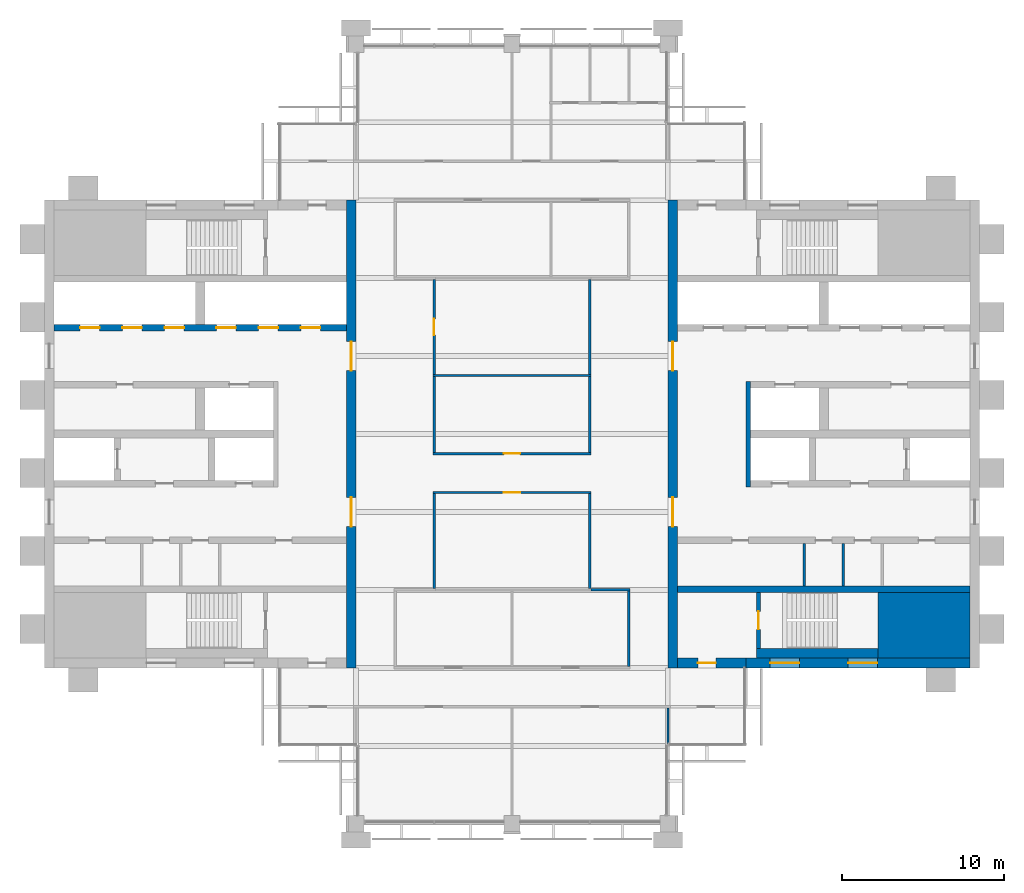
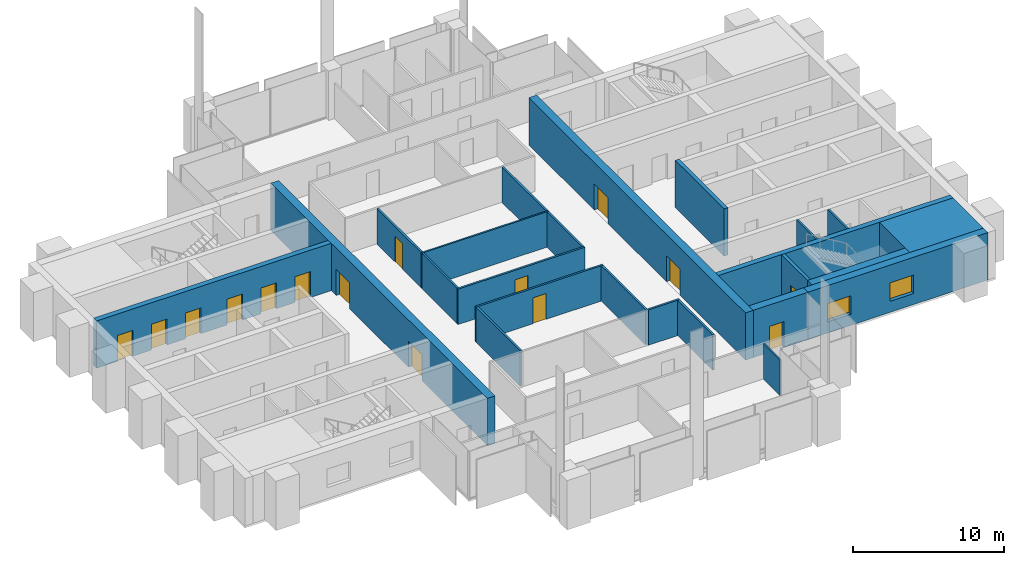
# One storey, part 9 of 13: 24 walls, 15 doors, 2 windows, 17 openings.
"""IFC4 building model written with IfcOpenShell, lengths in metres."""

from ifc_helpers import new_model, si_unit, direction, frame, frame_2d, origin, place, context, subcontext, project, spatial, rectangle, extrude, material, layer, layer_set, type_object, element, fill, save


model = new_model("IFC4")

# Units and contexts
model_context = context("Model", 3, precision=1e-05, world=origin(), true_north=direction((0.0, 1.0)))
body_context = subcontext(model_context, "Body", "Model", "MODEL_VIEW")
ifc_project = project(units=[si_unit("LENGTHUNIT", "METRE"), si_unit("AREAUNIT", "SQUARE_METRE"), si_unit("VOLUMEUNIT", "CUBIC_METRE"), si_unit("PLANEANGLEUNIT", "RADIAN"), si_unit("MASSUNIT", "GRAM", prefix="KILO")], contexts=[model_context])

# Site, building, storey
site_placement = place(None, origin())
site = spatial("IfcSite", under=ifc_project, at=site_placement, CompositionType="ELEMENT")
building_placement = place(site_placement, origin())
building = spatial("IfcBuilding", under=site, at=building_placement, Name="Baori Bourse Tower", CompositionType="ELEMENT")
storey_placement = place(building_placement, frame((0.0, 0.0, 318.300048828125)))
storey = spatial("IfcBuildingStorey", under=building, at=storey_placement, Name="L70", CompositionType="ELEMENT", Elevation=318.300048828125)

# Walls
ifc_material_1 = material(Name="Concrete f'c 40 MPa", Category="concrete")
wall_type_1 = type_object("IfcWallType", Name="Core corner block f'c 40", PredefinedType="SHEAR", material=ifc_material_1)
wall_1_placement = place(storey_placement, frame((51.35009765625, 12.22509765625, 0.0), z_axis=(0.0, 0.0, 1.0), x_axis=(1.0, 0.0, 0.0)))
element("IfcWall", 1, at=wall_1_placement, inside=storey, type_object=wall_type_1, Name="Core wall E05", PredefinedType="SHEAR", context=body_context, shape_type="SweptSolid", body=[
    extrude(rectangle(XDim=5.64990234375, YDim=4.050048828125, at=frame_2d((2.824951171875, 0.0))), origin(), (0.0, 0.0, 1.0), 3.83984375),
])
ifc_material_2 = material(Name="Blockwork partition", Category="masonry")
ifc_layer_1 = layer(ifc_material_2, 0.14990234375)
ifc_layer_set_1 = layer_set([ifc_layer_1], Name="Core partition 150")
wall_type_2 = type_object("IfcWallType", Name="Core partition 150", PredefinedType="PARTITIONING", material=ifc_layer_set_1)
for number, where, z_axis, x_axis, name in (
    (2, (49.199951171875, 14.64990234375, 0.0), (0.0, 0.0, 1.0), (0.0, 1.0, 0.0), "Partition wall E10"),
    (3, (46.800048828125, 14.64990234375, 0.0), (0.0, 0.0, 1.0), (0.0, 1.0, 0.0), "Partition wall E11"),
):
    element("IfcWall", number, at=place(storey_placement, frame(where, z_axis=z_axis, x_axis=x_axis)), inside=storey, type_object=wall_type_2, Name=name, PredefinedType="PARTITIONING", context=body_context, shape_type="SweptSolid", body=[
        extrude(rectangle(XDim=2.60009765625, YDim=0.14990234375, at=frame_2d((1.300048828125, 0.0))), origin(), (0.0, 0.0, 1.0), 3.83984375),
    ])

# Wall, openings, doors
ifc_material_3 = material(Name="Concrete f'c 40 MPa", Category="concrete")
ifc_layer_2 = layer(ifc_material_3, 0.60009765625)
ifc_layer_set_2 = layer_set([ifc_layer_2], Name="Core wall 600 f'c 40")
wall_type_3 = type_object("IfcWallType", Name="Core wall 600 f'c 40", PredefinedType="SHEAR", material=ifc_layer_set_2)
wall_2_placement = place(storey_placement, frame((18.89990234375, 38.39990234375, 0.0), z_axis=(0.0, 0.0, 1.0), x_axis=(0.0, -1.0, 0.0)))
wall_2 = element("IfcWall", 4, at=wall_2_placement, inside=storey, type_object=wall_type_3, Name="Core wall W04", PredefinedType="SHEAR", context=body_context, shape_type="SweptSolid", body=[
    extrude(rectangle(XDim=28.7998046875, YDim=0.60009765625, at=frame_2d((14.39990234375, 0.0))), origin(), (0.0, 0.0, 1.0), 3.83984375),
])
opening_1_placement = place(wall_2_placement, frame((18.300048828125, 0.0, 0.0)))
opening_1 = element("IfcOpeningElement", 5, at=opening_1_placement, cuts=wall_2, Name="Opening L70-D107", PredefinedType="OPENING", context=body_context, shape_type="SweptSolid", body=[
    extrude(rectangle(XDim=1.800048828125, YDim=2.10009765625, at=frame_2d((0.89990234375, 1.050048828125))), frame((0.0, 0.31005859375, 0.0), z_axis=(0.0, -1.0, 0.0), x_axis=(1.0, 0.0, 0.0)), (0.0, 0.0, 1.0), 0.6201171875),
])
opening_2_placement = place(wall_2_placement, frame((8.699951171875, 0.0, 0.0)))
opening_2 = element("IfcOpeningElement", 6, at=opening_2_placement, cuts=wall_2, Name="Opening L70-D108", PredefinedType="OPENING", context=body_context, shape_type="SweptSolid", body=[
    extrude(rectangle(XDim=1.800048828125, YDim=2.10009765625, at=frame_2d((0.89990234375, 1.050048828125))), frame((0.0, 0.31005859375, 0.0), z_axis=(0.0, -1.0, 0.0), x_axis=(1.0, 0.0, 0.0)), (0.0, 0.0, 1.0), 0.6201171875),
])
ifc_material_4 = material(Name="Painted steel door", Category="steel")
door_type_1 = type_object("IfcDoorType", Name="Core lobby door 1800", OperationType="DOUBLE_DOOR_SINGLE_SWING", PredefinedType="DOOR", material=ifc_material_4)
door_1_placement = place(opening_1_placement, origin())
door_1 = element("IfcDoor", 7, at=door_1_placement, inside=storey, type_object=door_type_1, Name="Lobby door W L70", OperationType="DOUBLE_DOOR_SINGLE_SWING", OverallHeight=2.10009765625, OverallWidth=1.800048828125, PredefinedType="DOOR", context=body_context, shape_type="SweptSolid", body=[
    extrude(rectangle(XDim=1.800048828125, YDim=2.10009765625, at=frame_2d((0.89990234375, 1.050048828125))), frame((0.0, 0.02490234375, 0.0), z_axis=(0.0, -1.0, 0.0), x_axis=(1.0, 0.0, 0.0)), (0.0, 0.0, 1.0), 0.050048828125),
])
fill(opening_1, door_1)
door_2_placement = place(opening_2_placement, origin())
door_2 = element("IfcDoor", 8, at=door_2_placement, inside=storey, type_object=door_type_1, Name="Lobby door W L70", OperationType="DOUBLE_DOOR_SINGLE_SWING", OverallHeight=2.10009765625, OverallWidth=1.800048828125, PredefinedType="DOOR", context=body_context, shape_type="SweptSolid", body=[
    extrude(rectangle(XDim=1.800048828125, YDim=2.10009765625, at=frame_2d((0.89990234375, 1.050048828125))), frame((0.0, 0.02490234375, 0.0), z_axis=(0.0, -1.0, 0.0), x_axis=(1.0, 0.0, 0.0)), (0.0, 0.0, 1.0), 0.050048828125),
])
fill(opening_2, door_2)

# Wall, openings, windows
wall_3_placement = place(storey_placement, frame((57.0, 9.89990234375, 0.0), z_axis=(0.0, 0.0, 1.0), x_axis=(-1.0, 0.0, 0.0)))
wall_3 = element("IfcWall", 9, at=wall_3_placement, inside=storey, type_object=wall_type_3, Name="Core wall E02", PredefinedType="SHEAR", context=body_context, shape_type="SweptSolid", body=[
    extrude(rectangle(XDim=13.800048828125, YDim=0.60009765625, at=frame_2d((6.89990234375, 0.0))), origin(), (0.0, 0.0, 1.0), 3.83984375),
])
opening_3_placement = place(wall_3_placement, frame((5.699951171875, 0.0, 0.89990234375)))
opening_3 = element("IfcOpeningElement", 10, at=opening_3_placement, cuts=wall_3, Name="Opening L70-KW203", PredefinedType="OPENING", context=body_context, shape_type="SweptSolid", body=[
    extrude(rectangle(XDim=1.800048828125, YDim=1.5, at=frame_2d((0.89990234375, 0.75))), frame((0.0, 0.31005859375, 0.0), z_axis=(0.0, -1.0, 0.0), x_axis=(1.0, 0.0, 0.0)), (0.0, 0.0, 1.0), 0.6201171875),
])
opening_4_placement = place(wall_3_placement, frame((10.5, 0.0, 0.89990234375)))
opening_4 = element("IfcOpeningElement", 11, at=opening_4_placement, cuts=wall_3, Name="Opening L70-KW204", PredefinedType="OPENING", context=body_context, shape_type="SweptSolid", body=[
    extrude(rectangle(XDim=1.800048828125, YDim=1.5, at=frame_2d((0.89990234375, 0.75))), frame((0.0, 0.31005859375, 0.0), z_axis=(0.0, -1.0, 0.0), x_axis=(1.0, 0.0, 0.0)), (0.0, 0.0, 1.0), 0.6201171875),
])
ifc_material_5 = material(Name="Pale anodised aluminium", Category="aluminium")
window_type = type_object("IfcWindowType", Name="Stair window 1800 x 1500", PartitioningType="SINGLE_PANEL", PredefinedType="WINDOW", material=ifc_material_5)
window_1_placement = place(opening_3_placement, origin())
window_1 = element("IfcWindow", 12, at=window_1_placement, inside=storey, type_object=window_type, Name="Stair window E L70 3", OverallHeight=1.5, OverallWidth=1.800048828125, PartitioningType="SINGLE_PANEL", PredefinedType="WINDOW", context=body_context, shape_type="SweptSolid", body=[
    extrude(rectangle(XDim=1.800048828125, YDim=1.5, at=frame_2d((0.89990234375, 0.75))), frame((0.0, 0.030029296875, 0.0), z_axis=(0.0, -1.0, 0.0), x_axis=(1.0, 0.0, 0.0)), (0.0, 0.0, 1.0), 0.06005859375),
])
fill(opening_3, window_1)
window_2_placement = place(opening_4_placement, origin())
window_2 = element("IfcWindow", 13, at=window_2_placement, inside=storey, type_object=window_type, Name="Stair window E L70 4", OverallHeight=1.5, OverallWidth=1.800048828125, PartitioningType="SINGLE_PANEL", PredefinedType="WINDOW", context=body_context, shape_type="SweptSolid", body=[
    extrude(rectangle(XDim=1.800048828125, YDim=1.5, at=frame_2d((0.89990234375, 0.75))), frame((0.0, 0.030029296875, 0.0), z_axis=(0.0, -1.0, 0.0), x_axis=(1.0, 0.0, 0.0)), (0.0, 0.0, 1.0), 0.06005859375),
])
fill(opening_4, window_2)

# Wall, opening, door
wall_4_placement = place(storey_placement, frame((43.199951171875, 9.89990234375, 0.0), z_axis=(0.0, 0.0, 1.0), x_axis=(-1.0, 0.0, 0.0)))
wall_4 = element("IfcWall", 14, at=wall_4_placement, inside=storey, type_object=wall_type_3, Name="Core wall E03", PredefinedType="SHEAR", context=body_context, shape_type="SweptSolid", body=[
    extrude(rectangle(XDim=4.199951171875, YDim=0.60009765625, at=frame_2d((2.10009765625, 0.0))), origin(), (0.0, 0.0, 1.0), 3.83984375),
])
opening_5_placement = place(wall_4_placement, frame((1.85009765625, 0.0, 0.0)))
opening_5 = element("IfcOpeningElement", 15, at=opening_5_placement, cuts=wall_4, Name="Opening L70-D202", PredefinedType="OPENING", context=body_context, shape_type="SweptSolid", body=[
    extrude(rectangle(XDim=1.10009765625, YDim=2.10009765625, at=frame_2d((0.550048828125, 1.050048828125))), frame((0.0, 0.31005859375, 0.0), z_axis=(0.0, -1.0, 0.0), x_axis=(1.0, 0.0, 0.0)), (0.0, 0.0, 1.0), 0.6201171875),
])
ifc_material_6 = material(Name="Painted steel door", Category="steel")
door_type_2 = type_object("IfcDoorType", Name="Stair door 1100", OperationType="SINGLE_SWING_LEFT", PredefinedType="DOOR", material=ifc_material_6)
door_3_placement = place(opening_5_placement, origin())
door_3 = element("IfcDoor", 16, at=door_3_placement, inside=storey, type_object=door_type_2, Name="Stair vestibule door A E L70", OperationType="SINGLE_SWING_LEFT", OverallHeight=2.10009765625, OverallWidth=1.10009765625, PredefinedType="DOOR", context=body_context, shape_type="SweptSolid", body=[
    extrude(rectangle(XDim=1.10009765625, YDim=2.10009765625, at=frame_2d((0.550048828125, 1.050048828125))), frame((0.0, 0.02490234375, 0.0), z_axis=(0.0, -1.0, 0.0), x_axis=(1.0, 0.0, 0.0)), (0.0, 0.0, 1.0), 0.050048828125),
])
fill(opening_5, door_3)

# Wall, openings, doors
wall_5_placement = place(storey_placement, frame((38.699951171875, 9.60009765625, 0.0), z_axis=(0.0, 0.0, 1.0), x_axis=(0.0, 1.0, 0.0)))
wall_5 = element("IfcWall", 17, at=wall_5_placement, inside=storey, type_object=wall_type_3, Name="Core wall E04", PredefinedType="SHEAR", context=body_context, shape_type="SweptSolid", body=[
    extrude(rectangle(XDim=28.7998046875, YDim=0.60009765625, at=frame_2d((14.39990234375, 0.0))), origin(), (0.0, 0.0, 1.0), 3.83984375),
])
opening_6_placement = place(wall_5_placement, frame((8.699951171875, 0.0, 0.0)))
opening_6 = element("IfcOpeningElement", 18, at=opening_6_placement, cuts=wall_5, Name="Opening L70-D207", PredefinedType="OPENING", context=body_context, shape_type="SweptSolid", body=[
    extrude(rectangle(XDim=1.800048828125, YDim=2.10009765625, at=frame_2d((0.89990234375, 1.050048828125))), frame((0.0, 0.31005859375, 0.0), z_axis=(0.0, -1.0, 0.0), x_axis=(1.0, 0.0, 0.0)), (0.0, 0.0, 1.0), 0.6201171875),
])
opening_7_placement = place(wall_5_placement, frame((18.300048828125, 0.0, 0.0)))
opening_7 = element("IfcOpeningElement", 19, at=opening_7_placement, cuts=wall_5, Name="Opening L70-D208", PredefinedType="OPENING", context=body_context, shape_type="SweptSolid", body=[
    extrude(rectangle(XDim=1.800048828125, YDim=2.10009765625, at=frame_2d((0.89990234375, 1.050048828125))), frame((0.0, 0.31005859375, 0.0), z_axis=(0.0, -1.0, 0.0), x_axis=(1.0, 0.0, 0.0)), (0.0, 0.0, 1.0), 0.6201171875),
])
door_4_placement = place(opening_6_placement, origin())
door_4 = element("IfcDoor", 20, at=door_4_placement, inside=storey, type_object=door_type_1, Name="Lobby door E L70", OperationType="DOUBLE_DOOR_SINGLE_SWING", OverallHeight=2.10009765625, OverallWidth=1.800048828125, PredefinedType="DOOR", context=body_context, shape_type="SweptSolid", body=[
    extrude(rectangle(XDim=1.800048828125, YDim=2.10009765625, at=frame_2d((0.89990234375, 1.050048828125))), frame((0.0, 0.02490234375, 0.0), z_axis=(0.0, -1.0, 0.0), x_axis=(1.0, 0.0, 0.0)), (0.0, 0.0, 1.0), 0.050048828125),
])
fill(opening_6, door_4)
door_5_placement = place(opening_7_placement, origin())
door_5 = element("IfcDoor", 21, at=door_5_placement, inside=storey, type_object=door_type_1, Name="Lobby door E L70", OperationType="DOUBLE_DOOR_SINGLE_SWING", OverallHeight=2.10009765625, OverallWidth=1.800048828125, PredefinedType="DOOR", context=body_context, shape_type="SweptSolid", body=[
    extrude(rectangle(XDim=1.800048828125, YDim=2.10009765625, at=frame_2d((0.89990234375, 1.050048828125))), frame((0.0, 0.02490234375, 0.0), z_axis=(0.0, -1.0, 0.0), x_axis=(1.0, 0.0, 0.0)), (0.0, 0.0, 1.0), 0.050048828125),
])
fill(opening_7, door_5)

# Wall
ifc_material_7 = material(Name="Gypsum board partition")
ifc_layer_3 = layer(ifc_material_7, 0.14990234375)
ifc_layer_set_3 = layer_set([ifc_layer_3], Name="Corridor partition 150")
wall_type_4 = type_object("IfcWallType", Name="Corridor partition 150", PredefinedType="PARTITIONING", material=ifc_layer_set_3)
wall_6_placement = place(storey_placement, frame((33.675048828125, 14.39990234375, 0.0), z_axis=(0.0, 0.0, 1.0), x_axis=(1.0, 0.0, 0.0)))
element("IfcWall", 22, at=wall_6_placement, inside=storey, type_object=wall_type_4, Name="Partition", PredefinedType="PARTITIONING", context=body_context, shape_type="SweptSolid", body=[
    extrude(rectangle(XDim=2.39990234375, YDim=0.14990234375, at=frame_2d((1.199951171875, 0.0))), origin(), (0.0, 0.0, 1.0), 2.86962890625),
])

# Wall, opening, door
wall_7_placement = place(storey_placement, frame((23.925048828125, 20.39990234375, 0.0), z_axis=(0.0, 0.0, 1.0), x_axis=(1.0, 0.0, 0.0)))
wall_7 = element("IfcWall", 23, at=wall_7_placement, inside=storey, type_object=wall_type_4, Name="Partition", PredefinedType="PARTITIONING", context=body_context, shape_type="SweptSolid", body=[
    extrude(rectangle(XDim=9.75, YDim=0.14990234375, at=frame_2d((4.875, 0.0))), origin(), (0.0, 0.0, 1.0), 2.86962890625),
])
opening_8_placement = place(wall_7_placement, frame((4.375, 0.0, 0.0)))
opening_8 = element("IfcOpeningElement", 24, at=opening_8_placement, cuts=wall_7, Name="Opening L70-D07", PredefinedType="OPENING", context=body_context, shape_type="SweptSolid", body=[
    extrude(rectangle(XDim=1.0, YDim=2.10009765625, at=frame_2d((0.5, 1.050048828125))), frame((0.0, 0.0849609375, 0.0), z_axis=(0.0, -1.0, 0.0), x_axis=(1.0, 0.0, 0.0)), (0.0, 0.0, 1.0), 0.169921875),
])
ifc_material_8 = material(Name="Timber door leaf", Category="wood")
door_type_3 = type_object("IfcDoorType", Name="Door 1000 x 2100", OperationType="SINGLE_SWING_LEFT", PredefinedType="DOOR", material=ifc_material_8)
door_6_placement = place(opening_8_placement, origin())
door_6 = element("IfcDoor", 25, at=door_6_placement, inside=storey, type_object=door_type_3, Name="Door", OperationType="SINGLE_SWING_RIGHT", OverallHeight=2.10009765625, OverallWidth=1.0, PredefinedType="DOOR", context=body_context, shape_type="SweptSolid", body=[
    extrude(rectangle(XDim=1.0, YDim=2.10009765625, at=frame_2d((0.5, 1.050048828125))), frame((0.0, 0.02490234375, 0.0), z_axis=(0.0, -1.0, 0.0), x_axis=(1.0, 0.0, 0.0)), (0.0, 0.0, 1.0), 0.050048828125),
])
fill(opening_8, door_6)

wall_8_placement = place(storey_placement, frame((23.925048828125, 22.800048828125, 0.0), z_axis=(0.0, 0.0, 1.0), x_axis=(1.0, 0.0, 0.0)))
wall_8 = element("IfcWall", 26, at=wall_8_placement, inside=storey, type_object=wall_type_4, Name="Partition", PredefinedType="PARTITIONING", context=body_context, shape_type="SweptSolid", body=[
    extrude(rectangle(XDim=9.75, YDim=0.14990234375, at=frame_2d((4.875, 0.0))), origin(), (0.0, 0.0, 1.0), 2.86962890625),
])
opening_9_placement = place(wall_8_placement, frame((4.375, 0.0, 0.0)))
opening_9 = element("IfcOpeningElement", 27, at=opening_9_placement, cuts=wall_8, Name="Opening L70-D08", PredefinedType="OPENING", context=body_context, shape_type="SweptSolid", body=[
    extrude(rectangle(XDim=1.0, YDim=2.10009765625, at=frame_2d((0.5, 1.050048828125))), frame((0.0, 0.0849609375, 0.0), z_axis=(0.0, -1.0, 0.0), x_axis=(1.0, 0.0, 0.0)), (0.0, 0.0, 1.0), 0.169921875),
])
door_7_placement = place(opening_9_placement, origin())
door_7 = element("IfcDoor", 28, at=door_7_placement, inside=storey, type_object=door_type_3, Name="Door", OperationType="SINGLE_SWING_LEFT", OverallHeight=2.10009765625, OverallWidth=1.0, PredefinedType="DOOR", context=body_context, shape_type="SweptSolid", body=[
    extrude(rectangle(XDim=1.0, YDim=2.10009765625, at=frame_2d((0.5, 1.050048828125))), frame((0.0, 0.02490234375, 0.0), z_axis=(0.0, -1.0, 0.0), x_axis=(1.0, 0.0, 0.0)), (0.0, 0.0, 1.0), 0.050048828125),
])
fill(opening_9, door_7)

# Walls
wall_9_placement = place(storey_placement, frame((24.0, 14.47509765625, 0.0), z_axis=(0.0, 0.0, 1.0), x_axis=(0.0, 1.0, 0.0)))
element("IfcWall", 29, at=wall_9_placement, inside=storey, type_object=wall_type_4, Name="Partition", PredefinedType="PARTITIONING", context=body_context, shape_type="SweptSolid", body=[
    extrude(rectangle(XDim=5.849853515625, YDim=0.14990234375, at=frame_2d((2.9248046875, 0.0))), origin(), (0.0, 0.0, 1.0), 2.86962890625),
])
wall_10_placement = place(storey_placement, frame((24.0, 22.875, 0.0), z_axis=(0.0, 0.0, 1.0), x_axis=(0.0, 1.0, 0.0)))
element("IfcWall", 30, at=wall_10_placement, inside=storey, type_object=wall_type_4, Name="Partition", PredefinedType="PARTITIONING", context=body_context, shape_type="SweptSolid", body=[
    extrude(rectangle(XDim=4.66259765625, YDim=0.14990234375, at=frame_2d((2.331298828125, 0.0))), origin(), (0.0, 0.0, 1.0), 2.86962890625),
])

# Wall, opening, door
wall_11_placement = place(storey_placement, frame((24.0, 27.66259765625, 0.0), z_axis=(0.0, 0.0, 1.0), x_axis=(0.0, 1.0, 0.0)))
wall_11 = element("IfcWall", 31, at=wall_11_placement, inside=storey, type_object=wall_type_4, Name="Partition", PredefinedType="PARTITIONING", context=body_context, shape_type="SweptSolid", body=[
    extrude(rectangle(XDim=5.8623046875, YDim=0.14990234375, at=frame_2d((2.93115234375, 0.0))), origin(), (0.0, 0.0, 1.0), 2.86962890625),
])
opening_10_placement = place(wall_11_placement, frame((2.43115234375, 0.0, 0.0)))
opening_10 = element("IfcOpeningElement", 32, at=opening_10_placement, cuts=wall_11, Name="Opening L70-D19", PredefinedType="OPENING", context=body_context, shape_type="SweptSolid", body=[
    extrude(rectangle(XDim=1.0, YDim=2.10009765625, at=frame_2d((0.5, 1.050048828125))), frame((0.0, 0.0849609375, 0.0), z_axis=(0.0, -1.0, 0.0), x_axis=(1.0, 0.0, 0.0)), (0.0, 0.0, 1.0), 0.169921875),
])
door_8_placement = place(opening_10_placement, origin())
door_8 = element("IfcDoor", 33, at=door_8_placement, inside=storey, type_object=door_type_3, Name="Door", OperationType="SINGLE_SWING_LEFT", OverallHeight=2.10009765625, OverallWidth=1.0, PredefinedType="DOOR", context=body_context, shape_type="SweptSolid", body=[
    extrude(rectangle(XDim=1.0, YDim=2.10009765625, at=frame_2d((0.5, 1.050048828125))), frame((0.0, 0.02490234375, 0.0), z_axis=(0.0, -1.0, 0.0), x_axis=(1.0, 0.0, 0.0)), (0.0, 0.0, 1.0), 0.050048828125),
])
fill(opening_10, door_8)

# Walls
wall_12_placement = place(storey_placement, frame((33.60009765625, 14.47509765625, 0.0), z_axis=(0.0, 0.0, 1.0), x_axis=(0.0, 1.0, 0.0)))
element("IfcWall", 34, at=wall_12_placement, inside=storey, type_object=wall_type_4, Name="Partition", PredefinedType="PARTITIONING", context=body_context, shape_type="SweptSolid", body=[
    extrude(rectangle(XDim=5.849853515625, YDim=0.14990234375, at=frame_2d((2.9248046875, 0.0))), origin(), (0.0, 0.0, 1.0), 2.86962890625),
])
wall_13_placement = place(storey_placement, frame((33.60009765625, 22.875, 0.0), z_axis=(0.0, 0.0, 1.0), x_axis=(0.0, 1.0, 0.0)))
element("IfcWall", 35, at=wall_13_placement, inside=storey, type_object=wall_type_4, Name="Partition", PredefinedType="PARTITIONING", context=body_context, shape_type="SweptSolid", body=[
    extrude(rectangle(XDim=4.66259765625, YDim=0.14990234375, at=frame_2d((2.331298828125, 0.0))), origin(), (0.0, 0.0, 1.0), 2.86962890625),
])
wall_14_placement = place(storey_placement, frame((33.60009765625, 27.66259765625, 0.0), z_axis=(0.0, 0.0, 1.0), x_axis=(0.0, 1.0, 0.0)))
element("IfcWall", 36, at=wall_14_placement, inside=storey, type_object=wall_type_4, Name="Partition", PredefinedType="PARTITIONING", context=body_context, shape_type="SweptSolid", body=[
    extrude(rectangle(XDim=5.8623046875, YDim=0.14990234375, at=frame_2d((2.93115234375, 0.0))), origin(), (0.0, 0.0, 1.0), 2.86962890625),
])
wall_15_placement = place(storey_placement, frame((36.0, 9.675048828125, 0.0), z_axis=(0.0, 0.0, 1.0), x_axis=(0.0, 1.0, 0.0)))
element("IfcWall", 37, at=wall_15_placement, inside=storey, type_object=wall_type_4, Name="Partition", PredefinedType="PARTITIONING", context=body_context, shape_type="SweptSolid", body=[
    extrude(rectangle(XDim=4.64990234375, YDim=0.14990234375, at=frame_2d((2.324951171875, 0.0))), origin(), (0.0, 0.0, 1.0), 2.86962890625),
])
ifc_material_9 = material(Name="Gypsum board partition")
ifc_layer_4 = layer(ifc_material_9, 0.125)
ifc_layer_set_4 = layer_set([ifc_layer_4], Name="Partition 125")
wall_type_5 = type_object("IfcWallType", Name="Partition 125", PredefinedType="PARTITIONING", material=ifc_layer_set_4)
wall_16_placement = place(storey_placement, frame((23.925048828125, 27.60009765625, 0.0), z_axis=(0.0, 0.0, 1.0), x_axis=(1.0, 0.0, 0.0)))
element("IfcWall", 38, at=wall_16_placement, inside=storey, type_object=wall_type_5, Name="Partition", PredefinedType="PARTITIONING", context=body_context, shape_type="SweptSolid", body=[
    extrude(rectangle(XDim=9.75, YDim=0.125, at=frame_2d((4.875, 0.0))), origin(), (0.0, 0.0, 1.0), 2.86962890625),
])
wall_17_placement = place(storey_placement, frame((38.39990234375, 4.89990234375, 0.0), z_axis=(0.0, 0.0, 1.0), x_axis=(0.0, 1.0, 0.0)))
element("IfcWall", 39, at=wall_17_placement, inside=storey, type_object=wall_type_5, Name="Partition", PredefinedType="PARTITIONING", context=body_context, shape_type="SweptSolid", body=[
    extrude(rectangle(XDim=2.22509765625, YDim=0.125, at=frame_2d((1.112548828125, 0.0))), origin(), (0.0, 0.0, 1.0), 2.86962890625),
])

# Wall, opening, door
ifc_material_10 = material(Name="Concrete f'c 40 MPa", Category="concrete")
ifc_layer_5 = layer(ifc_material_10, 0.25)
ifc_layer_set_5 = layer_set([ifc_layer_5], Name="Shaft wall 250 f'c 40")
wall_type_6 = type_object("IfcWallType", Name="Shaft wall 250 f'c 40", PredefinedType="SHEAR", material=ifc_layer_set_5)
wall_18_placement = place(storey_placement, frame((43.97509765625, 10.800048828125, 0.0), z_axis=(0.0, 0.0, 1.0), x_axis=(0.0, 1.0, 0.0)))
wall_18 = element("IfcWall", 40, at=wall_18_placement, inside=storey, type_object=wall_type_6, Name="Core wall E07", PredefinedType="SHEAR", context=body_context, shape_type="SweptSolid", body=[
    extrude(rectangle(XDim=3.449951171875, YDim=0.25, at=frame_2d((1.72509765625, 0.0))), origin(), (0.0, 0.0, 1.0), 3.83984375),
])
opening_11_placement = place(wall_18_placement, frame((1.175048828125, 0.0, 0.0)))
opening_11 = element("IfcOpeningElement", 41, at=opening_11_placement, cuts=wall_18, Name="Opening L70-D201", PredefinedType="OPENING", context=body_context, shape_type="SweptSolid", body=[
    extrude(rectangle(XDim=1.10009765625, YDim=2.10009765625, at=frame_2d((0.550048828125, 1.050048828125))), frame((0.0, 0.135009765625, 0.0), z_axis=(0.0, -1.0, 0.0), x_axis=(1.0, 0.0, 0.0)), (0.0, 0.0, 1.0), 0.27001953125),
])
door_9_placement = place(opening_11_placement, origin())
door_9 = element("IfcDoor", 42, at=door_9_placement, inside=storey, type_object=door_type_2, Name="Stair door A E L70", OperationType="SINGLE_SWING_LEFT", OverallHeight=2.10009765625, OverallWidth=1.10009765625, PredefinedType="DOOR", context=body_context, shape_type="SweptSolid", body=[
    extrude(rectangle(XDim=1.10009765625, YDim=2.10009765625, at=frame_2d((0.550048828125, 1.050048828125))), frame((0.0, 0.02490234375, 0.0), z_axis=(0.0, -1.0, 0.0), x_axis=(1.0, 0.0, 0.0)), (0.0, 0.0, 1.0), 0.050048828125),
])
fill(opening_11, door_9)

# Wall
ifc_material_11 = material(Name="Concrete f'c 40 MPa", Category="concrete")
ifc_layer_6 = layer(ifc_material_11, 0.300048828125)
ifc_layer_set_6 = layer_set([ifc_layer_6], Name="Shaft wall 300 f'c 40")
wall_type_7 = type_object("IfcWallType", Name="Shaft wall 300 f'c 40", PredefinedType="SHEAR", material=ifc_layer_set_6)
wall_19_placement = place(storey_placement, frame((43.35009765625, 20.75, 0.0), z_axis=(0.0, 0.0, 1.0), x_axis=(0.0, 1.0, 0.0)))
element("IfcWall", 43, at=wall_19_placement, inside=storey, type_object=wall_type_7, Name="Core wall E14", PredefinedType="SHEAR", context=body_context, shape_type="SweptSolid", body=[
    extrude(rectangle(XDim=6.5, YDim=0.300048828125, at=frame_2d((3.25, 0.0))), origin(), (0.0, 0.0, 1.0), 3.83984375),
])

# Wall, openings, doors
ifc_material_12 = material(Name="Concrete f'c 40 MPa", Category="concrete")
ifc_layer_7 = layer(ifc_material_12, 0.39990234375)
ifc_layer_set_7 = layer_set([ifc_layer_7], Name="Shaft wall 400 f'c 40")
wall_type_8 = type_object("IfcWallType", Name="Shaft wall 400 f'c 40", PredefinedType="SHEAR", material=ifc_layer_set_7)
wall_20_placement = place(storey_placement, frame((0.60009765625, 30.550048828125, 0.0), z_axis=(0.0, 0.0, 1.0), x_axis=(1.0, 0.0, 0.0)))
wall_20 = element("IfcWall", 44, at=wall_20_placement, inside=storey, type_object=wall_type_8, Name="Core wall W20", PredefinedType="SHEAR", context=body_context, shape_type="SweptSolid", body=[
    extrude(rectangle(XDim=18.0, YDim=0.39990234375, at=frame_2d((9.0, 0.0))), origin(), (0.0, 0.0, 1.0), 3.83984375),
])
opening_12_placement = place(wall_20_placement, frame((1.60009765625, 0.0, 0.0)))
opening_12 = element("IfcOpeningElement", 45, at=opening_12_placement, cuts=wall_20, Name="Opening L70-D114", PredefinedType="OPENING", context=body_context, shape_type="SweptSolid", body=[
    extrude(rectangle(XDim=1.199951171875, YDim=2.10009765625, at=frame_2d((0.60009765625, 1.050048828125))), frame((0.0, 0.2099609375, 0.0), z_axis=(0.0, -1.0, 0.0), x_axis=(1.0, 0.0, 0.0)), (0.0, 0.0, 1.0), 0.419921875),
])
opening_13_placement = place(wall_20_placement, frame((4.199951171875, 0.0, 0.0)))
opening_13 = element("IfcOpeningElement", 46, at=opening_13_placement, cuts=wall_20, Name="Opening L70-D115", PredefinedType="OPENING", context=body_context, shape_type="SweptSolid", body=[
    extrude(rectangle(XDim=1.199951171875, YDim=2.10009765625, at=frame_2d((0.60009765625, 1.050048828125))), frame((0.0, 0.2099609375, 0.0), z_axis=(0.0, -1.0, 0.0), x_axis=(1.0, 0.0, 0.0)), (0.0, 0.0, 1.0), 0.419921875),
])
opening_14_placement = place(wall_20_placement, frame((6.800048828125, 0.0, 0.0)))
opening_14 = element("IfcOpeningElement", 47, at=opening_14_placement, cuts=wall_20, Name="Opening L70-D116", PredefinedType="OPENING", context=body_context, shape_type="SweptSolid", body=[
    extrude(rectangle(XDim=1.199951171875, YDim=2.10009765625, at=frame_2d((0.60009765625, 1.050048828125))), frame((0.0, 0.2099609375, 0.0), z_axis=(0.0, -1.0, 0.0), x_axis=(1.0, 0.0, 0.0)), (0.0, 0.0, 1.0), 0.419921875),
])
opening_15_placement = place(wall_20_placement, frame((10.0, 0.0, 0.0)))
opening_15 = element("IfcOpeningElement", 48, at=opening_15_placement, cuts=wall_20, Name="Opening L70-D117", PredefinedType="OPENING", context=body_context, shape_type="SweptSolid", body=[
    extrude(rectangle(XDim=1.199951171875, YDim=2.10009765625, at=frame_2d((0.60009765625, 1.050048828125))), frame((0.0, 0.2099609375, 0.0), z_axis=(0.0, -1.0, 0.0), x_axis=(1.0, 0.0, 0.0)), (0.0, 0.0, 1.0), 0.419921875),
])
opening_16_placement = place(wall_20_placement, frame((12.60009765625, 0.0, 0.0)))
opening_16 = element("IfcOpeningElement", 49, at=opening_16_placement, cuts=wall_20, Name="Opening L70-D118", PredefinedType="OPENING", context=body_context, shape_type="SweptSolid", body=[
    extrude(rectangle(XDim=1.199951171875, YDim=2.10009765625, at=frame_2d((0.60009765625, 1.050048828125))), frame((0.0, 0.2099609375, 0.0), z_axis=(0.0, -1.0, 0.0), x_axis=(1.0, 0.0, 0.0)), (0.0, 0.0, 1.0), 0.419921875),
])
opening_17_placement = place(wall_20_placement, frame((15.199951171875, 0.0, 0.0)))
opening_17 = element("IfcOpeningElement", 50, at=opening_17_placement, cuts=wall_20, Name="Opening L70-D119", PredefinedType="OPENING", context=body_context, shape_type="SweptSolid", body=[
    extrude(rectangle(XDim=1.199951171875, YDim=2.10009765625, at=frame_2d((0.60009765625, 1.050048828125))), frame((0.0, 0.2099609375, 0.0), z_axis=(0.0, -1.0, 0.0), x_axis=(1.0, 0.0, 0.0)), (0.0, 0.0, 1.0), 0.419921875),
])
ifc_material_13 = material(Name="Stainless steel door", Category="steel")
door_type_4 = type_object("IfcDoorType", Name="Lift landing door", OperationType="DOUBLE_DOOR_SLIDING", PredefinedType="DOOR", material=ifc_material_13)
door_10_placement = place(opening_12_placement, origin())
door_10 = element("IfcDoor", 51, at=door_10_placement, inside=storey, type_object=door_type_4, Name="Lift landing door HR1 W L70", OperationType="DOUBLE_DOOR_SLIDING", OverallHeight=2.10009765625, OverallWidth=1.199951171875, PredefinedType="DOOR", context=body_context, shape_type="SweptSolid", body=[
    extrude(rectangle(XDim=1.199951171875, YDim=2.10009765625, at=frame_2d((0.60009765625, 1.050048828125))), frame((0.0, 0.02490234375, 0.0), z_axis=(0.0, -1.0, 0.0), x_axis=(1.0, 0.0, 0.0)), (0.0, 0.0, 1.0), 0.050048828125),
])
fill(opening_12, door_10)
door_11_placement = place(opening_13_placement, origin())
door_11 = element("IfcDoor", 52, at=door_11_placement, inside=storey, type_object=door_type_4, Name="Lift landing door HR2 W L70", OperationType="DOUBLE_DOOR_SLIDING", OverallHeight=2.10009765625, OverallWidth=1.199951171875, PredefinedType="DOOR", context=body_context, shape_type="SweptSolid", body=[
    extrude(rectangle(XDim=1.199951171875, YDim=2.10009765625, at=frame_2d((0.60009765625, 1.050048828125))), frame((0.0, 0.02490234375, 0.0), z_axis=(0.0, -1.0, 0.0), x_axis=(1.0, 0.0, 0.0)), (0.0, 0.0, 1.0), 0.050048828125),
])
fill(opening_13, door_11)
door_12_placement = place(opening_14_placement, origin())
door_12 = element("IfcDoor", 53, at=door_12_placement, inside=storey, type_object=door_type_4, Name="Lift landing door HR3 W L70", OperationType="DOUBLE_DOOR_SLIDING", OverallHeight=2.10009765625, OverallWidth=1.199951171875, PredefinedType="DOOR", context=body_context, shape_type="SweptSolid", body=[
    extrude(rectangle(XDim=1.199951171875, YDim=2.10009765625, at=frame_2d((0.60009765625, 1.050048828125))), frame((0.0, 0.02490234375, 0.0), z_axis=(0.0, -1.0, 0.0), x_axis=(1.0, 0.0, 0.0)), (0.0, 0.0, 1.0), 0.050048828125),
])
fill(opening_14, door_12)
door_13_placement = place(opening_15_placement, origin())
door_13 = element("IfcDoor", 54, at=door_13_placement, inside=storey, type_object=door_type_4, Name="Lift landing door HR4 W L70", OperationType="DOUBLE_DOOR_SLIDING", OverallHeight=2.10009765625, OverallWidth=1.199951171875, PredefinedType="DOOR", context=body_context, shape_type="SweptSolid", body=[
    extrude(rectangle(XDim=1.199951171875, YDim=2.10009765625, at=frame_2d((0.60009765625, 1.050048828125))), frame((0.0, 0.02490234375, 0.0), z_axis=(0.0, -1.0, 0.0), x_axis=(1.0, 0.0, 0.0)), (0.0, 0.0, 1.0), 0.050048828125),
])
fill(opening_15, door_13)
door_14_placement = place(opening_16_placement, origin())
door_14 = element("IfcDoor", 55, at=door_14_placement, inside=storey, type_object=door_type_4, Name="Lift landing door HR5 W L70", OperationType="DOUBLE_DOOR_SLIDING", OverallHeight=2.10009765625, OverallWidth=1.199951171875, PredefinedType="DOOR", context=body_context, shape_type="SweptSolid", body=[
    extrude(rectangle(XDim=1.199951171875, YDim=2.10009765625, at=frame_2d((0.60009765625, 1.050048828125))), frame((0.0, 0.02490234375, 0.0), z_axis=(0.0, -1.0, 0.0), x_axis=(1.0, 0.0, 0.0)), (0.0, 0.0, 1.0), 0.050048828125),
])
fill(opening_16, door_14)
door_15_placement = place(opening_17_placement, origin())
door_15 = element("IfcDoor", 56, at=door_15_placement, inside=storey, type_object=door_type_4, Name="Lift landing door HR6 W L70", OperationType="DOUBLE_DOOR_SLIDING", OverallHeight=2.10009765625, OverallWidth=1.199951171875, PredefinedType="DOOR", context=body_context, shape_type="SweptSolid", body=[
    extrude(rectangle(XDim=1.199951171875, YDim=2.10009765625, at=frame_2d((0.60009765625, 1.050048828125))), frame((0.0, 0.02490234375, 0.0), z_axis=(0.0, -1.0, 0.0), x_axis=(1.0, 0.0, 0.0)), (0.0, 0.0, 1.0), 0.050048828125),
])
fill(opening_17, door_15)

# Walls
wall_21_placement = place(storey_placement, frame((39.0, 14.449951171875, 0.0), z_axis=(0.0, 0.0, 1.0), x_axis=(1.0, 0.0, 0.0)))
element("IfcWall", 57, at=wall_21_placement, inside=storey, type_object=wall_type_8, Name="Core wall E08", PredefinedType="SHEAR", context=body_context, shape_type="SweptSolid", body=[
    extrude(rectangle(XDim=18.0, YDim=0.39990234375, at=frame_2d((9.0, 0.0))), origin(), (0.0, 0.0, 1.0), 3.83984375),
])
ifc_material_14 = material(Name="Concrete f'c 40 MPa", Category="concrete")
ifc_layer_8 = layer(ifc_material_14, 0.60009765625)
ifc_layer_set_8 = layer_set([ifc_layer_8], Name="Shaft wall 600 f'c 40")
wall_type_9 = type_object("IfcWallType", Name="Shaft wall 600 f'c 40", PredefinedType="SHEAR", material=ifc_layer_set_8)
wall_22_placement = place(storey_placement, frame((43.85009765625, 10.5, 0.0), z_axis=(0.0, 0.0, 1.0), x_axis=(1.0, 0.0, 0.0)))
element("IfcWall", 58, at=wall_22_placement, inside=storey, type_object=wall_type_9, Name="Core wall E06", PredefinedType="SHEAR", context=body_context, shape_type="SweptSolid", body=[
    extrude(rectangle(XDim=7.5, YDim=0.60009765625, at=frame_2d((3.75, 0.0))), origin(), (0.0, 0.0, 1.0), 3.83984375),
])

save(model, "model.ifc")
